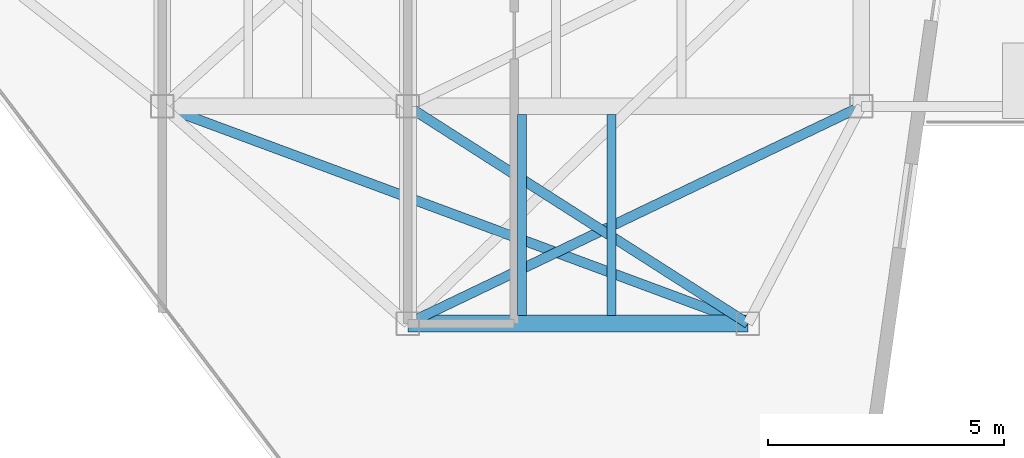
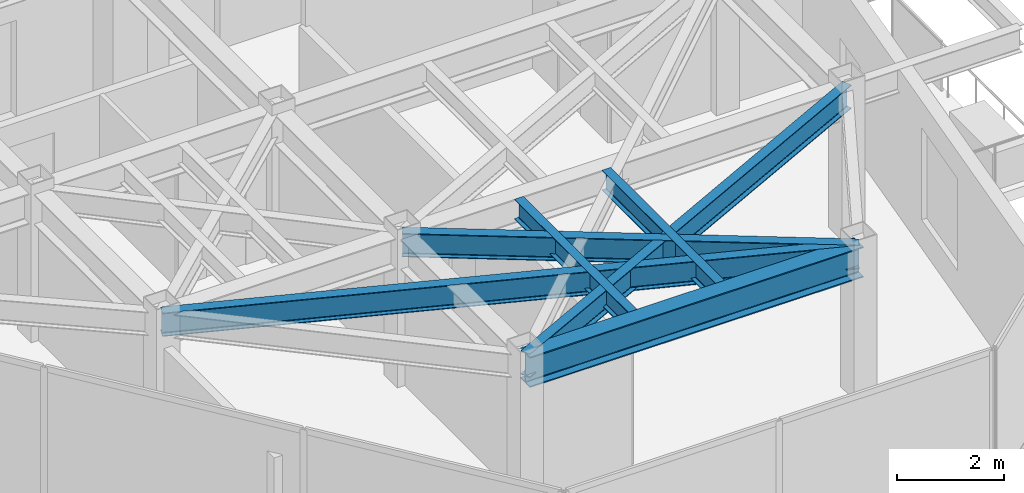
# One storey, part 10 of 17: 6 beams.
"""IFC4 building model written with IfcOpenShell, lengths in metres."""

from ifc_helpers import new_model, si_unit, direction, frame, origin, origin_2d, place, context, subcontext, project, spatial, i_section, extrude, material, material_profile, profile_set, type_object, element, save


model = new_model("IFC4")

# Units and contexts
model_context = context("Model", 3, precision=1e-05, world=origin(), true_north=direction((0.0, 1.0)))
body_context = subcontext(model_context, "Body", "Model", "MODEL_VIEW")
ifc_project = project(units=[si_unit("LENGTHUNIT", "METRE"), si_unit("AREAUNIT", "SQUARE_METRE"), si_unit("VOLUMEUNIT", "CUBIC_METRE"), si_unit("PLANEANGLEUNIT", "RADIAN"), si_unit("MASSUNIT", "GRAM", prefix="KILO")], contexts=[model_context])

# Site, building, storey
site_placement = place(None, origin())
site = spatial("IfcSite", under=ifc_project, at=site_placement, CompositionType="ELEMENT")
building_placement = place(site_placement, origin())
building = spatial("IfcBuilding", under=site, at=building_placement, Name="Kravanh Interchange Tower", CompositionType="ELEMENT")
storey_placement = place(building_placement, frame((0.0, 0.0, 249.0)))
storey = spatial("IfcBuildingStorey", under=building, at=storey_placement, Name="L60", CompositionType="ELEMENT", Elevation=249.0)

# Beams
ifc_material_1 = material(Name="Structural Steel S355", Category="steel")
ifc_material_profile_1 = material_profile(ifc_material_1, i_section(OverallWidth=0.35498046875, OverallDepth=0.696044921875, WebThickness=0.015380859375, FlangeThickness=0.02490234375, FilletRadius=0.02392578125, at=origin_2d()), Name="W27X146")
ifc_profile_set_1 = profile_set([ifc_material_profile_1], Name="Structural Steel S355")
beam_type_1 = type_object("IfcBeamType", Name="Floor Beam W27X146 Structural Steel S355", PredefinedType="BEAM", material=ifc_profile_set_1)
beam_1_placement = place(storey_placement, frame((56.0, 22.199951171875, 3.011962890625), z_axis=(1.0, 0.0, 0.0), x_axis=(0.0, 1.0, 0.0)))
element("IfcBeam", 1, at=beam_1_placement, inside=storey, type_object=beam_type_1, Name="L60 Primary Floor Girder 39", PredefinedType="BEAM", context=body_context, shape_type="SweptSolid", body=[
    extrude(i_section(OverallWidth=0.35498046875, OverallDepth=0.696044921875, WebThickness=0.015380859375, FlangeThickness=0.02490234375, FilletRadius=0.02392578125, at=origin_2d()), origin(), (0.0, 0.0, 1.0), 7.199951171875),
])
ifc_material_2 = material(Name="Structural Steel S355", Category="steel")
ifc_material_profile_2 = material_profile(ifc_material_2, i_section(OverallWidth=0.18994140625, OverallDepth=0.45703125, WebThickness=0.009033203125, FlangeThickness=0.014404296875, FilletRadius=0.01806640625, at=origin_2d()), Name="W18X50")
ifc_profile_set_2 = profile_set([ifc_material_profile_2], Name="Structural Steel S355")
beam_type_2 = type_object("IfcBeamType", Name="Floor Joist W18X50 Structural Steel S355", PredefinedType="JOIST", material=ifc_profile_set_2)
for number, where, z_axis, x_axis, name in (
    (2, (58.419921875, 22.37255859375, 3.131591796875), (0.0, 1.0, 0.0), (-1.0, 0.0, 0.0), "L60 Secondary Floor Joist 1"),
    (3, (60.30810546875, 22.37255859375, 3.131591796875), (0.0, 1.0, 0.0), (-1.0, 0.0, 0.0), "L60 Secondary Floor Joist 2"),
):
    element("IfcBeam", number, at=place(storey_placement, frame(where, z_axis=z_axis, x_axis=x_axis)), inside=storey, type_object=beam_type_2, Name=name, PredefinedType="JOIST", context=body_context, shape_type="SweptSolid", body=[
        extrude(i_section(OverallWidth=0.18994140625, OverallDepth=0.45703125, WebThickness=0.009033203125, FlangeThickness=0.014404296875, FilletRadius=0.01806640625, at=origin_2d()), origin(), (0.0, 0.0, 1.0), 4.2548828125),
    ])
ifc_material_3 = material(Name="Structural Steel S355", Category="steel")
ifc_material_profile_3 = material_profile(ifc_material_3, i_section(OverallWidth=0.2099609375, OverallDepth=0.537109375, WebThickness=0.010986328125, FlangeThickness=0.017333984375, FilletRadius=0.02001953125, at=origin_2d()), Name="W21X68")
ifc_profile_set_3 = profile_set([ifc_material_profile_3], Name="Structural Steel S355")
beam_type_3 = type_object("IfcBeamType", Name="Floor Spandrel W21X68 Structural Steel S355", PredefinedType="SPANDREL", material=ifc_profile_set_3)
beam_2_placement = place(storey_placement, frame((50.800048828125, 26.800048828125, 3.091552734375), z_axis=(0.937562917338, -0.347815721372, 0.0), x_axis=(0.347815721372, 0.937562917338, 0.0)))
element("IfcBeam", 4, at=beam_2_placement, inside=storey, type_object=beam_type_3, Name="L60 Perimeter Spandrel 33", PredefinedType="SPANDREL", context=body_context, shape_type="SweptSolid", body=[
    extrude(i_section(OverallWidth=0.2099609375, OverallDepth=0.537109375, WebThickness=0.010986328125, FlangeThickness=0.017333984375, FilletRadius=0.02001953125, at=origin_2d()), origin(), (0.0, 0.0, 1.0), 13.2255859375),
])
beam_3_placement = place(storey_placement, frame((56.0, 26.800048828125, 3.091552734375), z_axis=(0.842689417531, -0.53839998661, 0.0), x_axis=(0.53839998661, 0.842689417531, 0.0)))
element("IfcBeam", 5, at=beam_3_placement, inside=storey, type_object=beam_type_3, Name="L60 Perimeter Spandrel 35", PredefinedType="SPANDREL", context=body_context, shape_type="SweptSolid", body=[
    extrude(i_section(OverallWidth=0.2099609375, OverallDepth=0.537109375, WebThickness=0.010986328125, FlangeThickness=0.017333984375, FilletRadius=0.02001953125, at=origin_2d()), origin(), (0.0, 0.0, 1.0), 8.5439453125),
])
beam_4_placement = place(storey_placement, frame((65.60009765625, 26.800048828125, 3.091552734375), z_axis=(-0.901814166789, -0.432124066188, 0.0), x_axis=(0.432124066188, -0.901814166789, 0.0)))
element("IfcBeam", 6, at=beam_4_placement, inside=storey, type_object=beam_type_3, Name="L60 Perimeter Spandrel 38", PredefinedType="SPANDREL", context=body_context, shape_type="SweptSolid", body=[
    extrude(i_section(OverallWidth=0.2099609375, OverallDepth=0.537109375, WebThickness=0.010986328125, FlangeThickness=0.017333984375, FilletRadius=0.02001953125, at=origin_2d()), origin(), (0.0, 0.0, 1.0), 10.645263671875),
])

save(model, "model.ifc")
